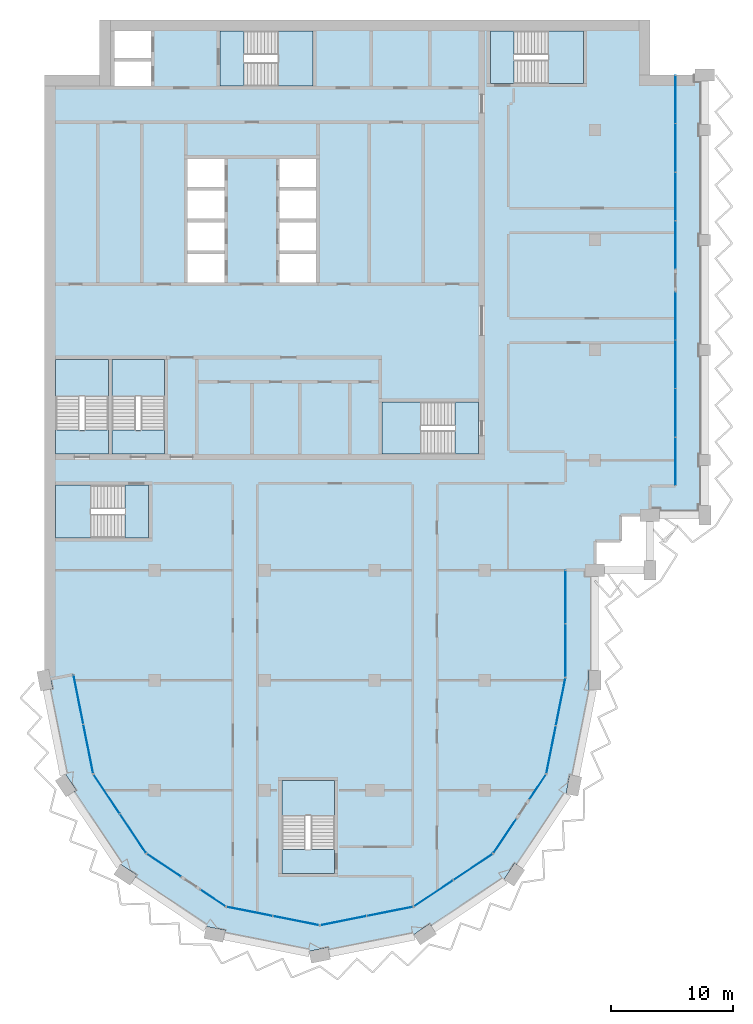
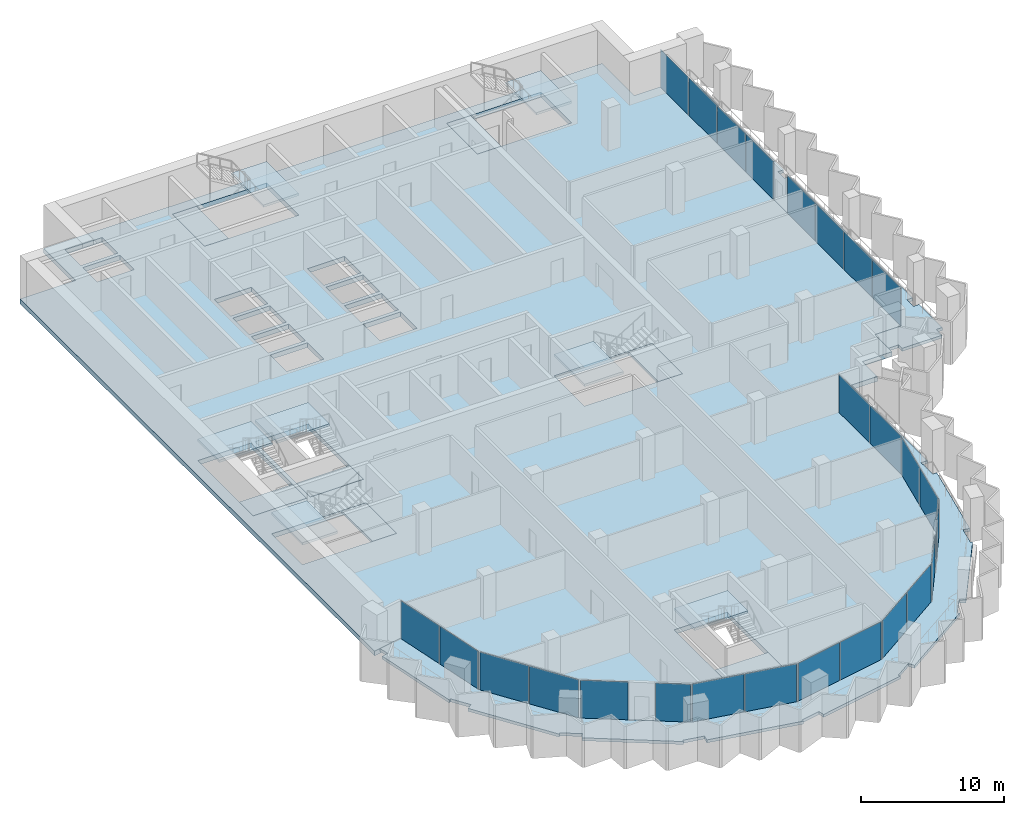
# One storey, part 6 of 16: 26 plates, 17 slabs, 20 elements without a shape of their own.
"""IFC4 building model written with IfcOpenShell, lengths in metres."""

from ifc_helpers import new_model, si_unit, direction, frame, origin, origin_2d, place, context, subcontext, project, spatial, polyline, rectangle, outline, extrude, material, layer, layer_set, type_object, element, aggregate, save


model = new_model("IFC4")

# Units and contexts
model_context = context("Model", 3, precision=1e-05, world=origin(), true_north=direction((0.0, 1.0)))
body_context = subcontext(model_context, "Body", "Model", "MODEL_VIEW")
ifc_project = project(units=[si_unit("LENGTHUNIT", "METRE"), si_unit("AREAUNIT", "SQUARE_METRE"), si_unit("VOLUMEUNIT", "CUBIC_METRE"), si_unit("PLANEANGLEUNIT", "RADIAN"), si_unit("MASSUNIT", "GRAM", prefix="KILO")], contexts=[model_context])

# Site, building, storey
site_placement = place(None, origin())
site = spatial("IfcSite", under=ifc_project, at=site_placement, CompositionType="ELEMENT")
building_placement = place(site_placement, origin())
building = spatial("IfcBuilding", under=site, at=building_placement, Name="Hunhe Ridgeline Campus", CompositionType="ELEMENT")
storey_placement = place(building_placement, frame((0.0, 0.0, 242.89990234375)))
storey = spatial("IfcBuildingStorey", under=building, at=storey_placement, Name="L62", CompositionType="ELEMENT", Elevation=242.89990234375)

# Curtain wall, plates
ifc_material_1 = material(Name="Aluminium 6063", Category="aluminium")
curtain_wall_type_1 = type_object("IfcCurtainWallType", Name="Curtain wall CW-5", PredefinedType="NOTDEFINED", material=ifc_material_1)
curtain_wall_1_placement = place(storey_placement, origin())
curtain_wall_1 = element("IfcCurtainWall", 1, at=curtain_wall_1_placement, inside=storey, type_object=curtain_wall_type_1, Name="Curtain wall 01", PredefinedType="NOTDEFINED")
ifc_material_2 = material(Name="Low-e laminated glass", Category="glass")
ifc_layer_1 = layer(ifc_material_2, 0.028076171875)
ifc_layer_set_1 = layer_set([ifc_layer_1], Name="Curtain wall glass panel 28 low-e laminated")
plate_type = type_object("IfcPlateType", Name="Curtain wall glass panel 28 low-e laminated", PredefinedType="CURTAIN_PANEL", material=ifc_layer_set_1)
plate_1_placement = place(storey_placement, frame((2.76318359375, 43.416015625, 0.0), z_axis=(0.0, 0.0, 1.0), x_axis=(0.195095347137, -0.980784280831, 0.0)))
plate_1 = element("IfcPlate", 2, at=plate_1_placement, type_object=plate_type, Name="CW-5 panel 1", PredefinedType="CURTAIN_PANEL", context=body_context, shape_type="SweptSolid", body=[
    extrude(rectangle(XDim=4.0458984375, YDim=0.028076171875, at=origin_2d()), origin(), (0.0, 0.0, 1.0), 3.22998046875),
])
plate_2_placement = place(storey_placement, frame((3.566162109375, 39.379150390625, 0.0), z_axis=(0.0, 0.0, 1.0), x_axis=(0.195095347137, -0.980784280831, 0.0)))
plate_2 = element("IfcPlate", 3, at=plate_2_placement, type_object=plate_type, Name="CW-5 panel 2", PredefinedType="CURTAIN_PANEL", context=body_context, shape_type="SweptSolid", body=[
    extrude(rectangle(XDim=4.0458984375, YDim=0.028076171875, at=origin_2d()), origin(), (0.0, 0.0, 1.0), 3.22998046875),
])
aggregate(curtain_wall_1, [plate_1, plate_2])

curtain_wall_2_placement = place(storey_placement, origin())
curtain_wall_2 = element("IfcCurtainWall", 4, at=curtain_wall_2_placement, inside=storey, type_object=curtain_wall_type_1, Name="Curtain wall 02", PredefinedType="NOTDEFINED")
plate_3_placement = place(storey_placement, frame((5.07080078125, 35.685546875, 0.0), z_axis=(0.0, 0.0, 1.0), x_axis=(0.555570274596, -0.831469584522, 0.0)))
plate_3 = element("IfcPlate", 5, at=plate_3_placement, type_object=plate_type, Name="CW-5 panel 1", PredefinedType="CURTAIN_PANEL", context=body_context, shape_type="SweptSolid", body=[
    extrude(rectangle(XDim=3.806884765625, YDim=0.028076171875, at=origin_2d()), origin(), (0.0, 0.0, 1.0), 3.22998046875),
])
plate_4_placement = place(storey_placement, frame((7.224609375, 32.4619140625, 0.0), z_axis=(0.0, 0.0, 1.0), x_axis=(0.555570274596, -0.831469584522, 0.0)))
plate_4 = element("IfcPlate", 6, at=plate_4_placement, type_object=plate_type, Name="CW-5 panel 2", PredefinedType="CURTAIN_PANEL", context=body_context, shape_type="SweptSolid", body=[
    extrude(rectangle(XDim=3.806884765625, YDim=0.028076171875, at=origin_2d()), origin(), (0.0, 0.0, 1.0), 3.22998046875),
])
aggregate(curtain_wall_2, [plate_3, plate_4])

# Curtain wall, plate
curtain_wall_3_placement = place(storey_placement, origin())
curtain_wall_3 = element("IfcCurtainWall", 7, at=curtain_wall_3_placement, inside=storey, type_object=curtain_wall_type_1, Name="Curtain wall 03", PredefinedType="NOTDEFINED")
plate_5_placement = place(storey_placement, frame((9.76025390625, 29.859375, 0.0), z_axis=(0.0, 0.0, 1.0), x_axis=(0.831469595944, -0.555570257501, 0.0)))
plate_5 = element("IfcPlate", 8, at=plate_5_placement, type_object=plate_type, Name="CW-5 panel 1", PredefinedType="CURTAIN_PANEL", context=body_context, shape_type="SweptSolid", body=[
    extrude(rectangle(XDim=3.322021484375, YDim=0.028076171875, at=origin_2d()), origin(), (0.0, 0.0, 1.0), 3.22998046875),
])
aggregate(curtain_wall_3, [plate_5])

curtain_wall_4_placement = place(storey_placement, origin())
curtain_wall_4 = element("IfcCurtainWall", 9, at=curtain_wall_4_placement, inside=storey, type_object=curtain_wall_type_1, Name="Curtain wall 04", PredefinedType="NOTDEFINED")
plate_6_placement = place(storey_placement, frame((13.761474609375, 27.18603515625, 0.0), z_axis=(0.0, 0.0, 1.0), x_axis=(0.831469510353, -0.555570385598, 0.0)))
plate_6 = element("IfcPlate", 10, at=plate_6_placement, type_object=plate_type, Name="CW-5 panel 1", PredefinedType="CURTAIN_PANEL", context=body_context, shape_type="SweptSolid", body=[
    extrude(rectangle(XDim=2.421875, YDim=0.028076171875, at=origin_2d()), origin(), (0.0, 0.0, 1.0), 3.22998046875),
])
aggregate(curtain_wall_4, [plate_6])

# Curtain wall, plates
curtain_wall_5_placement = place(storey_placement, origin())
curtain_wall_5 = element("IfcCurtainWall", 11, at=curtain_wall_5_placement, inside=storey, type_object=curtain_wall_type_1, Name="Curtain wall 05", PredefinedType="NOTDEFINED")
plate_7_placement = place(storey_placement, frame((16.761962890625, 26.08935546875, 0.0), z_axis=(0.0, 0.0, 1.0), x_axis=(0.980785275326, -0.195090347539, 0.0)))
plate_7 = element("IfcPlate", 12, at=plate_7_placement, type_object=plate_type, Name="CW-5 panel 1", PredefinedType="CURTAIN_PANEL", context=body_context, shape_type="SweptSolid", body=[
    extrude(rectangle(XDim=3.806884765625, YDim=0.028076171875, at=origin_2d()), origin(), (0.0, 0.0, 1.0), 3.22998046875),
])
plate_8_placement = place(storey_placement, frame((20.564453125, 25.3330078125, 0.0), z_axis=(0.0, 0.0, 1.0), x_axis=(0.980785275326, -0.195090347539, 0.0)))
plate_8 = element("IfcPlate", 13, at=plate_8_placement, type_object=plate_type, Name="CW-5 panel 2", PredefinedType="CURTAIN_PANEL", context=body_context, shape_type="SweptSolid", body=[
    extrude(rectangle(XDim=3.806884765625, YDim=0.028076171875, at=origin_2d()), origin(), (0.0, 0.0, 1.0), 3.22998046875),
])
aggregate(curtain_wall_5, [plate_7, plate_8])

curtain_wall_6_placement = place(storey_placement, origin())
curtain_wall_6 = element("IfcCurtainWall", 14, at=curtain_wall_6_placement, inside=storey, type_object=curtain_wall_type_1, Name="Curtain wall 06", PredefinedType="NOTDEFINED")
plate_9_placement = place(storey_placement, frame((24.435546875, 25.3330078125, 0.0), z_axis=(0.0, 0.0, 1.0), x_axis=(0.980785275326, 0.195090347539, 0.0)))
plate_9 = element("IfcPlate", 15, at=plate_9_placement, type_object=plate_type, Name="CW-5 panel 1", PredefinedType="CURTAIN_PANEL", context=body_context, shape_type="SweptSolid", body=[
    extrude(rectangle(XDim=3.806884765625, YDim=0.028076171875, at=origin_2d()), origin(), (0.0, 0.0, 1.0), 3.22998046875),
])
plate_10_placement = place(storey_placement, frame((28.238037109375, 26.08935546875, 0.0), z_axis=(0.0, 0.0, 1.0), x_axis=(0.980785275326, 0.195090347539, 0.0)))
plate_10 = element("IfcPlate", 16, at=plate_10_placement, type_object=plate_type, Name="CW-5 panel 2", PredefinedType="CURTAIN_PANEL", context=body_context, shape_type="SweptSolid", body=[
    extrude(rectangle(XDim=3.806884765625, YDim=0.028076171875, at=origin_2d()), origin(), (0.0, 0.0, 1.0), 3.22998046875),
])
aggregate(curtain_wall_6, [plate_9, plate_10])

curtain_wall_7_placement = place(storey_placement, origin())
curtain_wall_7 = element("IfcCurtainWall", 17, at=curtain_wall_7_placement, inside=storey, type_object=curtain_wall_type_1, Name="Curtain wall 07", PredefinedType="NOTDEFINED")
plate_11_placement = place(storey_placement, frame((31.814453125, 27.57080078125, 0.0), z_axis=(0.0, 0.0, 1.0), x_axis=(0.831469584522, 0.555570274596, 0.0)))
plate_11 = element("IfcPlate", 18, at=plate_11_placement, type_object=plate_type, Name="CW-5 panel 1", PredefinedType="CURTAIN_PANEL", context=body_context, shape_type="SweptSolid", body=[
    extrude(rectangle(XDim=3.806884765625, YDim=0.028076171875, at=origin_2d()), origin(), (0.0, 0.0, 1.0), 3.22998046875),
])
plate_12_placement = place(storey_placement, frame((35.0380859375, 29.724609375, 0.0), z_axis=(0.0, 0.0, 1.0), x_axis=(0.831469584522, 0.555570274596, 0.0)))
plate_12 = element("IfcPlate", 19, at=plate_12_placement, type_object=plate_type, Name="CW-5 panel 2", PredefinedType="CURTAIN_PANEL", context=body_context, shape_type="SweptSolid", body=[
    extrude(rectangle(XDim=3.806884765625, YDim=0.028076171875, at=origin_2d()), origin(), (0.0, 0.0, 1.0), 3.22998046875),
])
aggregate(curtain_wall_7, [plate_11, plate_12])

# Curtain wall, plate
curtain_wall_8_placement = place(storey_placement, origin())
curtain_wall_8 = element("IfcCurtainWall", 20, at=curtain_wall_8_placement, inside=storey, type_object=curtain_wall_type_1, Name="Curtain wall 08", PredefinedType="NOTDEFINED")
plate_13_placement = place(storey_placement, frame((37.640625, 32.26025390625, 0.0), z_axis=(0.0, 0.0, 1.0), x_axis=(0.555570257501, 0.831469595944, 0.0)))
plate_13 = element("IfcPlate", 21, at=plate_13_placement, type_object=plate_type, Name="CW-5 panel 1", PredefinedType="CURTAIN_PANEL", context=body_context, shape_type="SweptSolid", body=[
    extrude(rectangle(XDim=3.322021484375, YDim=0.028076171875, at=origin_2d()), origin(), (0.0, 0.0, 1.0), 3.22998046875),
])
aggregate(curtain_wall_8, [plate_13])

curtain_wall_9_placement = place(storey_placement, origin())
curtain_wall_9 = element("IfcCurtainWall", 22, at=curtain_wall_9_placement, inside=storey, type_object=curtain_wall_type_1, Name="Curtain wall 09", PredefinedType="NOTDEFINED")
plate_14_placement = place(storey_placement, frame((40.31396484375, 36.261474609375, 0.0), z_axis=(0.0, 0.0, 1.0), x_axis=(0.555570385598, 0.831469510353, 0.0)))
plate_14 = element("IfcPlate", 23, at=plate_14_placement, type_object=plate_type, Name="CW-5 panel 1", PredefinedType="CURTAIN_PANEL", context=body_context, shape_type="SweptSolid", body=[
    extrude(rectangle(XDim=2.421875, YDim=0.028076171875, at=origin_2d()), origin(), (0.0, 0.0, 1.0), 3.22998046875),
])
aggregate(curtain_wall_9, [plate_14])

# Curtain wall, plates
curtain_wall_10_placement = place(storey_placement, origin())
curtain_wall_10 = element("IfcCurtainWall", 24, at=curtain_wall_10_placement, inside=storey, type_object=curtain_wall_type_1, Name="Curtain wall 10", PredefinedType="NOTDEFINED")
plate_15_placement = place(storey_placement, frame((41.42236328125, 39.321044921875, 0.0), z_axis=(0.0, 0.0, 1.0), x_axis=(0.195090299215, 0.980785284939, 0.0)))
plate_15 = element("IfcPlate", 25, at=plate_15_placement, type_object=plate_type, Name="CW-5 panel 1", PredefinedType="CURTAIN_PANEL", context=body_context, shape_type="SweptSolid", body=[
    extrude(rectangle(XDim=3.927490234375, YDim=0.028076171875, at=origin_2d()), origin(), (0.0, 0.0, 1.0), 3.22998046875),
])
plate_16_placement = place(storey_placement, frame((42.2021484375, 43.24169921875, 0.0), z_axis=(0.0, 0.0, 1.0), x_axis=(0.195090299215, 0.980785284939, 0.0)))
plate_16 = element("IfcPlate", 26, at=plate_16_placement, type_object=plate_type, Name="CW-5 panel 2", PredefinedType="CURTAIN_PANEL", context=body_context, shape_type="SweptSolid", body=[
    extrude(rectangle(XDim=3.927490234375, YDim=0.028076171875, at=origin_2d()), origin(), (0.0, 0.0, 1.0), 3.22998046875),
])
aggregate(curtain_wall_10, [plate_15, plate_16])

curtain_wall_type_2 = type_object("IfcCurtainWallType", Name="Curtain wall CW-1", PredefinedType="NOTDEFINED", material=ifc_material_1)
curtain_wall_11_placement = place(storey_placement, origin())
curtain_wall_11 = element("IfcCurtainWall", 27, at=curtain_wall_11_placement, inside=storey, type_object=curtain_wall_type_2, Name="Curtain wall 11", PredefinedType="NOTDEFINED")
plate_17_placement = place(storey_placement, frame((42.59912109375, 47.4423828125, 0.0), z_axis=(0.0, 0.0, 1.0), x_axis=(1.9283253e-05, 0.999999999814, 0.0)))
plate_17 = element("IfcPlate", 28, at=plate_17_placement, type_object=plate_type, Name="CW-1 panel 1", PredefinedType="CURTAIN_PANEL", context=body_context, shape_type="SweptSolid", body=[
    extrude(rectangle(XDim=4.2919921875, YDim=0.028076171875, at=origin_2d()), origin(), (0.0, 0.0, 1.0), 3.239990234375),
])
plate_18_placement = place(storey_placement, frame((42.59912109375, 51.79443359375, 0.0), z_axis=(0.0, 0.0, 1.0), x_axis=(1.9283253e-05, 0.999999999814, 0.0)))
plate_18 = element("IfcPlate", 29, at=plate_18_placement, type_object=plate_type, Name="CW-1 panel 2", PredefinedType="CURTAIN_PANEL", context=body_context, shape_type="SweptSolid", body=[
    extrude(rectangle(XDim=4.2919921875, YDim=0.028076171875, at=origin_2d()), origin(), (0.0, 0.0, 1.0), 3.239990234375),
])
aggregate(curtain_wall_11, [plate_17, plate_18])

curtain_wall_12_placement = place(storey_placement, origin())
curtain_wall_12 = element("IfcCurtainWall", 30, at=curtain_wall_12_placement, inside=storey, type_object=curtain_wall_type_2, Name="Curtain wall 12", PredefinedType="NOTDEFINED")
plate_19_placement = place(storey_placement, frame((51.59912109375, 62.9033203125, 0.0), z_axis=(0.0, 0.0, 1.0), x_axis=(0.0, 1.0, 0.0)))
plate_19 = element("IfcPlate", 31, at=plate_19_placement, type_object=plate_type, Name="CW-1 panel 1", PredefinedType="CURTAIN_PANEL", context=body_context, shape_type="SweptSolid", body=[
    extrude(rectangle(XDim=3.884765625, YDim=0.028076171875, at=origin_2d()), origin(), (0.0, 0.0, 1.0), 3.239990234375),
])
plate_20_placement = place(storey_placement, frame((51.59912109375, 66.86328125, 0.0), z_axis=(0.0, 0.0, 1.0), x_axis=(0.0, 1.0, 0.0)))
plate_20 = element("IfcPlate", 32, at=plate_20_placement, type_object=plate_type, Name="CW-1 panel 2", PredefinedType="CURTAIN_PANEL", context=body_context, shape_type="SweptSolid", body=[
    extrude(rectangle(XDim=3.914794921875, YDim=0.028076171875, at=origin_2d()), origin(), (0.0, 0.0, 1.0), 3.239990234375),
])
plate_21_placement = place(storey_placement, frame((51.59912109375, 70.838134765625, 0.0), z_axis=(0.0, 0.0, 1.0), x_axis=(0.0, 1.0, 0.0)))
plate_21 = element("IfcPlate", 33, at=plate_21_placement, type_object=plate_type, Name="CW-1 panel 3", PredefinedType="CURTAIN_PANEL", context=body_context, shape_type="SweptSolid", body=[
    extrude(rectangle(XDim=3.914794921875, YDim=0.028076171875, at=origin_2d()), origin(), (0.0, 0.0, 1.0), 3.239990234375),
])
plate_22_placement = place(storey_placement, frame((51.59912109375, 74.798095703125, 0.0), z_axis=(0.0, 0.0, 1.0), x_axis=(0.0, 1.0, 0.0)))
plate_22 = element("IfcPlate", 34, at=plate_22_placement, type_object=plate_type, Name="CW-1 panel 4", PredefinedType="CURTAIN_PANEL", context=body_context, shape_type="SweptSolid", body=[
    extrude(rectangle(XDim=3.884765625, YDim=0.028076171875, at=origin_2d()), origin(), (0.0, 0.0, 1.0), 3.239990234375),
])
aggregate(curtain_wall_12, [plate_19, plate_20, plate_21, plate_22])

curtain_wall_13_placement = place(storey_placement, origin())
curtain_wall_13 = element("IfcCurtainWall", 35, at=curtain_wall_13_placement, inside=storey, type_object=curtain_wall_type_2, Name="Curtain wall 13", PredefinedType="NOTDEFINED")
plate_23_placement = place(storey_placement, frame((51.59912109375, 80.60302734375, 0.0), z_axis=(0.0, 0.0, 1.0), x_axis=(0.0, 1.0, 0.0)))
plate_23 = element("IfcPlate", 36, at=plate_23_placement, type_object=plate_type, Name="CW-1 panel 1", PredefinedType="CURTAIN_PANEL", context=body_context, shape_type="SweptSolid", body=[
    extrude(rectangle(XDim=3.884765625, YDim=0.028076171875, at=origin_2d()), origin(), (0.0, 0.0, 1.0), 3.239990234375),
])
plate_24_placement = place(storey_placement, frame((51.59912109375, 84.562744140625, 0.0), z_axis=(0.0, 0.0, 1.0), x_axis=(0.0, 1.0, 0.0)))
plate_24 = element("IfcPlate", 37, at=plate_24_placement, type_object=plate_type, Name="CW-1 panel 2", PredefinedType="CURTAIN_PANEL", context=body_context, shape_type="SweptSolid", body=[
    extrude(rectangle(XDim=3.914794921875, YDim=0.028076171875, at=origin_2d()), origin(), (0.0, 0.0, 1.0), 3.239990234375),
])
plate_25_placement = place(storey_placement, frame((51.59912109375, 88.53759765625, 0.0), z_axis=(0.0, 0.0, 1.0), x_axis=(0.0, 1.0, 0.0)))
plate_25 = element("IfcPlate", 38, at=plate_25_placement, type_object=plate_type, Name="CW-1 panel 3", PredefinedType="CURTAIN_PANEL", context=body_context, shape_type="SweptSolid", body=[
    extrude(rectangle(XDim=3.914794921875, YDim=0.028076171875, at=origin_2d()), origin(), (0.0, 0.0, 1.0), 3.239990234375),
])
plate_26_placement = place(storey_placement, frame((51.59912109375, 92.49755859375, 0.0), z_axis=(0.0, 0.0, 1.0), x_axis=(0.0, 1.0, 0.0)))
plate_26 = element("IfcPlate", 39, at=plate_26_placement, type_object=plate_type, Name="CW-1 panel 4", PredefinedType="CURTAIN_PANEL", context=body_context, shape_type="SweptSolid", body=[
    extrude(rectangle(XDim=3.884765625, YDim=0.028076171875, at=origin_2d()), origin(), (0.0, 0.0, 1.0), 3.239990234375),
])
aggregate(curtain_wall_13, [plate_23, plate_24, plate_25, plate_26])

# Slabs
ifc_material_3 = material(Name="Concrete C40", Category="concrete")
ifc_layer_2 = layer(ifc_material_3, 0.39990234375)
ifc_layer_set_2 = layer_set([ifc_layer_2], Name="Floor slab 400 Concrete C40")
slab_type_1 = type_object("IfcSlabType", Name="Floor slab 400 Concrete C40", PredefinedType="FLOOR", material=ifc_layer_set_2)
slab_1_placement = place(storey_placement, frame((0.0, 0.0, -0.39990234375)))
element("IfcSlab", 40, at=slab_1_placement, inside=storey, type_object=slab_type_1, Name="Floor slab L62 1", PredefinedType="FLOOR", context=body_context, shape_type="SweptSolid", body=[
    extrude(outline(polyline([(36.678955078125, 30.821044921875), (41.025634765625, 37.326416015625), (42.59912109375, 45.236572265625), (42.59912109375, 54.00048828125), (44.9990234375, 54.0009765625), (44.999267578125, 56.400634765625), (47.09912109375, 56.40087890625), (47.099609375, 58.5009765625), (49.4990234375, 58.5009765625), (49.49951171875, 60.90087890625), (51.59912109375, 60.90087890625), (51.59912109375, 94.5), (49.5, 94.5), (49.5, 99.0), (4.5, 99.0), (4.5, 94.5), (0.0, 94.5), (0.0, 45.0009765625), (2.354736328125, 45.46875), (3.974365234375, 37.326416015625), (8.321044921875, 30.821044921875), (14.826416015625, 26.474365234375), (22.5, 24.947998046875), (30.173583984375, 26.474365234375), (36.678955078125, 30.821044921875)]), holes=[polyline([(36.449951171875, 98.10009765625), (36.449951171875, 93.800048828125), (44.050048828125, 93.800048828125), (44.050048828125, 98.10009765625), (36.449951171875, 98.10009765625)]), polyline([(27.60009765625, 63.5), (35.5, 63.5), (35.5, 67.75), (27.60009765625, 67.75), (27.60009765625, 63.5)]), polyline([(19.39990234375, 36.800048828125), (19.39990234375, 29.199951171875), (23.699951171875, 29.199951171875), (23.699951171875, 36.800048828125), (19.39990234375, 36.800048828125)]), polyline([(22.199951171875, 87.64990234375), (19.199951171875, 87.64990234375), (19.199951171875, 85.35009765625), (22.199951171875, 85.35009765625), (22.199951171875, 87.64990234375)]), polyline([(22.199951171875, 77.550048828125), (22.199951171875, 79.85009765625), (19.199951171875, 79.85009765625), (19.199951171875, 77.550048828125), (22.199951171875, 77.550048828125)]), polyline([(19.199951171875, 85.050048828125), (19.199951171875, 82.75), (22.199951171875, 82.75), (22.199951171875, 85.050048828125), (19.199951171875, 85.050048828125)]), polyline([(19.199951171875, 80.14990234375), (22.199951171875, 80.14990234375), (22.199951171875, 82.449951171875), (19.199951171875, 82.449951171875), (19.199951171875, 80.14990234375)]), polyline([(14.35009765625, 98.10009765625), (14.35009765625, 93.60009765625), (21.949951171875, 93.60009765625), (21.949951171875, 98.10009765625), (14.35009765625, 98.10009765625)]), polyline([(14.699951171875, 87.64990234375), (11.699951171875, 87.64990234375), (11.699951171875, 85.35009765625), (14.699951171875, 85.35009765625), (14.699951171875, 87.64990234375)]), polyline([(14.699951171875, 77.550048828125), (14.699951171875, 79.85009765625), (11.699951171875, 79.85009765625), (11.699951171875, 77.550048828125), (14.699951171875, 77.550048828125)]), polyline([(11.699951171875, 85.050048828125), (11.699951171875, 82.75), (14.699951171875, 82.75), (14.699951171875, 85.050048828125), (11.699951171875, 85.050048828125)]), polyline([(11.699951171875, 80.14990234375), (14.699951171875, 80.14990234375), (14.699951171875, 82.449951171875), (11.699951171875, 82.449951171875), (11.699951171875, 80.14990234375)]), polyline([(9.800048828125, 63.5), (9.800048828125, 71.25), (5.5, 71.25), (5.5, 63.5), (9.800048828125, 63.5)]), polyline([(8.699951171875, 93.60009765625), (8.699951171875, 95.60009765625), (5.699951171875, 95.60009765625), (5.699951171875, 93.60009765625), (8.699951171875, 93.60009765625)]), polyline([(5.699951171875, 95.89990234375), (8.699951171875, 95.89990234375), (8.699951171875, 98.10009765625), (5.699951171875, 98.10009765625), (5.699951171875, 95.89990234375)]), polyline([(0.89990234375, 60.949951171875), (0.89990234375, 56.64990234375), (8.5, 56.64990234375), (8.5, 60.949951171875), (0.89990234375, 60.949951171875)]), polyline([(5.199951171875, 71.25), (0.89990234375, 71.25), (0.89990234375, 63.5), (5.199951171875, 63.5), (5.199951171875, 71.25)])]), origin(), (0.0, 0.0, 1.0), 0.39990234375),
])
ifc_layer_3 = layer(ifc_material_3, 0.25)
ifc_layer_set_3 = layer_set([ifc_layer_3], Name="Loggia slab 250 Concrete C40")
slab_type_2 = type_object("IfcSlabType", Name="Loggia slab 250 Concrete C40", PredefinedType="FLOOR", material=ifc_layer_set_3)
slab_2_placement = place(storey_placement, frame((0.0, 0.0, -0.25)))
element("IfcSlab", 41, at=slab_2_placement, inside=storey, type_object=slab_type_2, Name="Loggia slab 1", PredefinedType="FLOOR", context=body_context, shape_type="SweptSolid", body=[
    extrude(outline(polyline([(30.173828125, 26.473388671875), (22.5, 24.947021484375), (14.826171875, 26.473388671875), (8.3203125, 30.8203125), (3.973388671875, 37.326171875), (2.35400390625, 45.46826171875), (0.490478515625, 45.09765625), (0.646484375, 44.31298828125), (0.156005859375, 44.21533203125), (1.543701171875, 37.239013671875), (1.68408203125, 37.33251953125), (2.572998046875, 36.002197265625), (2.1572265625, 35.724365234375), (6.109130859375, 29.81005859375), (6.20263671875, 29.9501953125), (7.532958984375, 29.061279296875), (7.25537109375, 28.645751953125), (13.169677734375, 24.69384765625), (13.20263671875, 24.859130859375), (14.771728515625, 24.547119140625), (14.67431640625, 24.056640625), (21.650634765625, 22.6689453125), (21.617919921875, 22.834228515625), (23.18701171875, 23.146484375), (23.28466796875, 22.656005859375), (30.260986328125, 24.043701171875), (30.16748046875, 24.18408203125), (31.497802734375, 25.072998046875), (31.775634765625, 24.6572265625), (37.68994140625, 28.609130859375), (37.5498046875, 28.70263671875), (38.438720703125, 30.032958984375), (38.854248046875, 29.75537109375), (42.80615234375, 35.669677734375), (42.640869140625, 35.70263671875), (42.952880859375, 37.271728515625), (43.443359375, 37.17431640625), (44.8408203125, 44.199951171875), (44.5, 44.199951171875), (44.5, 45.800048828125), (45.0, 45.800048828125), (45.0, 53.5), (44.199951171875, 53.5), (44.199951171875, 54.0), (42.60009765625, 54.0), (42.60009765625, 45.236328125), (41.026611328125, 37.326171875), (36.6796875, 30.8203125), (30.173828125, 26.473388671875)])), origin(), (0.0, 0.0, 1.0), 0.25),
])
slab_3_placement = place(storey_placement, frame((0.0, 0.0, -0.25)))
element("IfcSlab", 42, at=slab_3_placement, inside=storey, type_object=slab_type_2, Name="Loggia slab 2", PredefinedType="FLOOR", context=body_context, shape_type="SweptSolid", body=[
    extrude(outline(polyline([(49.5, 59.0), (50.300048828125, 59.0), (50.300048828125, 58.5), (53.5, 58.5), (53.5, 59.300048828125), (54.0, 59.300048828125), (54.0, 62.550048828125), (53.550048828125, 62.550048828125), (53.550048828125, 63.449951171875), (54.0, 63.449951171875), (54.0, 71.550048828125), (53.550048828125, 71.550048828125), (53.550048828125, 72.449951171875), (54.0, 72.449951171875), (54.0, 80.550048828125), (53.550048828125, 80.550048828125), (53.550048828125, 81.449951171875), (54.0, 81.449951171875), (54.0, 89.550048828125), (53.550048828125, 89.550048828125), (53.550048828125, 90.449951171875), (54.0, 90.449951171875), (54.0, 94.0), (53.199951171875, 94.0), (53.199951171875, 94.5), (51.60009765625, 94.5), (51.60009765625, 60.89990234375), (49.5, 60.89990234375), (49.5, 59.0)])), origin(), (0.0, 0.0, 1.0), 0.25),
])

# Stair, slab
stair_type = type_object("IfcStairType", Name="Reinforced concrete dog-leg stair 1950 Concrete C40", PredefinedType="HALF_TURN_STAIR", material=ifc_material_3)
stair_1_placement = place(storey_placement, origin())
stair_1 = element("IfcStair", 43, at=stair_1_placement, inside=storey, type_object=stair_type, Name="L62 S1", PredefinedType="HALF_TURN_STAIR")
ifc_layer_4 = layer(ifc_material_3, 0.199951171875)
ifc_layer_set_4 = layer_set([ifc_layer_4], Name="Reinforced concrete stair landing 200 Concrete C40")
slab_type_3 = type_object("IfcSlabType", Name="Reinforced concrete stair landing 200 Concrete C40", PredefinedType="LANDING", material=ifc_layer_set_4)
slab_4_placement = place(storey_placement, frame((0.0, 0.0, 1.650146484375)))
slab_4 = element("IfcSlab", 44, at=slab_4_placement, type_object=slab_type_3, Name="ST1 landing 1", PredefinedType="LANDING", context=body_context, shape_type="SweptSolid", body=[
    extrude(outline(polyline([(19.10009765625, 93.60009765625), (21.949951171875, 93.60009765625), (21.949951171875, 98.10009765625), (19.10009765625, 98.10009765625), (19.10009765625, 93.60009765625)])), origin(), (0.0, 0.0, 1.0), 0.199951171875),
])
aggregate(stair_1, [slab_4])

# Slab
slab_5_placement = place(storey_placement, frame((0.0, 0.0, -0.199951171875)))
element("IfcSlab", 45, at=slab_5_placement, inside=storey, type_object=slab_type_3, Name="L62 stair S1 floor landing", PredefinedType="LANDING", context=body_context, shape_type="SweptSolid", body=[
    extrude(outline(polyline([(14.35009765625, 93.60009765625), (16.300048828125, 93.60009765625), (16.300048828125, 98.10009765625), (14.35009765625, 98.10009765625), (14.35009765625, 93.60009765625)])), origin(), (0.0, 0.0, 1.0), 0.199951171875),
])

# Stair, slab
stair_2_placement = place(storey_placement, origin())
stair_2 = element("IfcStair", 46, at=stair_2_placement, inside=storey, type_object=stair_type, Name="L62 S2", PredefinedType="HALF_TURN_STAIR")
slab_6_placement = place(storey_placement, frame((0.0, 0.0, 1.650146484375)))
slab_6 = element("IfcSlab", 47, at=slab_6_placement, type_object=slab_type_3, Name="ST2 landing 1", PredefinedType="LANDING", context=body_context, shape_type="SweptSolid", body=[
    extrude(outline(polyline([(30.75, 67.75), (27.60009765625, 67.75), (27.60009765625, 63.5), (30.75, 63.5), (30.75, 67.75)])), origin(), (0.0, 0.0, 1.0), 0.199951171875),
])
aggregate(stair_2, [slab_6])

# Slab
slab_7_placement = place(storey_placement, frame((0.0, 0.0, -0.199951171875)))
element("IfcSlab", 48, at=slab_7_placement, inside=storey, type_object=slab_type_3, Name="L62 stair S2 floor landing", PredefinedType="LANDING", context=body_context, shape_type="SweptSolid", body=[
    extrude(outline(polyline([(35.5, 67.75), (33.550048828125, 67.75), (33.550048828125, 63.5), (35.5, 63.5), (35.5, 67.75)])), origin(), (0.0, 0.0, 1.0), 0.199951171875),
])

# Stair, slab
stair_3_placement = place(storey_placement, origin())
stair_3 = element("IfcStair", 49, at=stair_3_placement, inside=storey, type_object=stair_type, Name="L62 S3", PredefinedType="HALF_TURN_STAIR")
slab_8_placement = place(storey_placement, frame((0.0, 0.0, 1.650146484375)))
slab_8 = element("IfcSlab", 50, at=slab_8_placement, type_object=slab_type_3, Name="ST3 landing 1", PredefinedType="LANDING", context=body_context, shape_type="SweptSolid", body=[
    extrude(outline(polyline([(5.199951171875, 68.25), (5.199951171875, 71.25), (0.89990234375, 71.25), (0.89990234375, 68.25), (5.199951171875, 68.25)])), origin(), (0.0, 0.0, 1.0), 0.199951171875),
])
aggregate(stair_3, [slab_8])

# Slab
slab_9_placement = place(storey_placement, frame((0.0, 0.0, -0.199951171875)))
element("IfcSlab", 51, at=slab_9_placement, inside=storey, type_object=slab_type_3, Name="L62 stair S3 floor landing", PredefinedType="LANDING", context=body_context, shape_type="SweptSolid", body=[
    extrude(outline(polyline([(5.199951171875, 63.5), (5.199951171875, 65.449951171875), (0.89990234375, 65.449951171875), (0.89990234375, 63.5), (5.199951171875, 63.5)])), origin(), (0.0, 0.0, 1.0), 0.199951171875),
])

# Stair, slab
stair_4_placement = place(storey_placement, origin())
stair_4 = element("IfcStair", 52, at=stair_4_placement, inside=storey, type_object=stair_type, Name="L62 S4", PredefinedType="HALF_TURN_STAIR")
slab_10_placement = place(storey_placement, frame((0.0, 0.0, 1.650146484375)))
slab_10 = element("IfcSlab", 53, at=slab_10_placement, type_object=slab_type_3, Name="ST4 landing 1", PredefinedType="LANDING", context=body_context, shape_type="SweptSolid", body=[
    extrude(outline(polyline([(9.800048828125, 68.25), (9.800048828125, 71.25), (5.5, 71.25), (5.5, 68.25), (9.800048828125, 68.25)])), origin(), (0.0, 0.0, 1.0), 0.199951171875),
])
aggregate(stair_4, [slab_10])

# Slab
slab_11_placement = place(storey_placement, frame((0.0, 0.0, -0.199951171875)))
element("IfcSlab", 54, at=slab_11_placement, inside=storey, type_object=slab_type_3, Name="L62 stair S4 floor landing", PredefinedType="LANDING", context=body_context, shape_type="SweptSolid", body=[
    extrude(outline(polyline([(9.800048828125, 63.5), (9.800048828125, 65.449951171875), (5.5, 65.449951171875), (5.5, 63.5), (9.800048828125, 63.5)])), origin(), (0.0, 0.0, 1.0), 0.199951171875),
])

# Stair, slab
stair_5_placement = place(storey_placement, origin())
stair_5 = element("IfcStair", 55, at=stair_5_placement, inside=storey, type_object=stair_type, Name="L62 E1", PredefinedType="HALF_TURN_STAIR")
slab_12_placement = place(storey_placement, frame((0.0, 0.0, 1.650146484375)))
slab_12 = element("IfcSlab", 56, at=slab_12_placement, type_object=slab_type_3, Name="ST5 landing 1", PredefinedType="LANDING", context=body_context, shape_type="SweptSolid", body=[
    extrude(outline(polyline([(41.199951171875, 93.800048828125), (44.050048828125, 93.800048828125), (44.050048828125, 98.10009765625), (41.199951171875, 98.10009765625), (41.199951171875, 93.800048828125)])), origin(), (0.0, 0.0, 1.0), 0.199951171875),
])
aggregate(stair_5, [slab_12])

# Slab
slab_13_placement = place(storey_placement, frame((0.0, 0.0, -0.199951171875)))
element("IfcSlab", 57, at=slab_13_placement, inside=storey, type_object=slab_type_3, Name="L62 stair E1 floor landing", PredefinedType="LANDING", context=body_context, shape_type="SweptSolid", body=[
    extrude(outline(polyline([(36.449951171875, 93.800048828125), (38.39990234375, 93.800048828125), (38.39990234375, 98.10009765625), (36.449951171875, 98.10009765625), (36.449951171875, 93.800048828125)])), origin(), (0.0, 0.0, 1.0), 0.199951171875),
])

# Stair, slab
stair_6_placement = place(storey_placement, origin())
stair_6 = element("IfcStair", 58, at=stair_6_placement, inside=storey, type_object=stair_type, Name="L62 W3", PredefinedType="HALF_TURN_STAIR")
slab_14_placement = place(storey_placement, frame((0.0, 0.0, 1.650146484375)))
slab_14 = element("IfcSlab", 59, at=slab_14_placement, type_object=slab_type_3, Name="ST9 landing 1", PredefinedType="LANDING", context=body_context, shape_type="SweptSolid", body=[
    extrude(outline(polyline([(23.699951171875, 33.949951171875), (23.699951171875, 36.800048828125), (19.39990234375, 36.800048828125), (19.39990234375, 33.949951171875), (23.699951171875, 33.949951171875)])), origin(), (0.0, 0.0, 1.0), 0.199951171875),
])
aggregate(stair_6, [slab_14])

# Slab
slab_15_placement = place(storey_placement, frame((0.0, 0.0, -0.199951171875)))
element("IfcSlab", 60, at=slab_15_placement, inside=storey, type_object=slab_type_3, Name="L62 stair W3 floor landing", PredefinedType="LANDING", context=body_context, shape_type="SweptSolid", body=[
    extrude(outline(polyline([(23.699951171875, 29.199951171875), (23.699951171875, 31.14990234375), (19.39990234375, 31.14990234375), (19.39990234375, 29.199951171875), (23.699951171875, 29.199951171875)])), origin(), (0.0, 0.0, 1.0), 0.199951171875),
])

# Stair, slab
stair_7_placement = place(storey_placement, origin())
stair_7 = element("IfcStair", 61, at=stair_7_placement, inside=storey, type_object=stair_type, Name="L62 W2", PredefinedType="HALF_TURN_STAIR")
slab_16_placement = place(storey_placement, frame((0.0, 0.0, 1.650146484375)))
slab_16 = element("IfcSlab", 62, at=slab_16_placement, type_object=slab_type_3, Name="ST12 landing 1", PredefinedType="LANDING", context=body_context, shape_type="SweptSolid", body=[
    extrude(outline(polyline([(3.75, 60.949951171875), (0.89990234375, 60.949951171875), (0.89990234375, 56.64990234375), (3.75, 56.64990234375), (3.75, 60.949951171875)])), origin(), (0.0, 0.0, 1.0), 0.199951171875),
])
aggregate(stair_7, [slab_16])

# Slab
slab_17_placement = place(storey_placement, frame((0.0, 0.0, -0.199951171875)))
element("IfcSlab", 63, at=slab_17_placement, inside=storey, type_object=slab_type_3, Name="L62 stair W2 floor landing", PredefinedType="LANDING", context=body_context, shape_type="SweptSolid", body=[
    extrude(outline(polyline([(8.5, 60.949951171875), (6.550048828125, 60.949951171875), (6.550048828125, 56.64990234375), (8.5, 56.64990234375), (8.5, 60.949951171875)])), origin(), (0.0, 0.0, 1.0), 0.199951171875),
])

save(model, "model.ifc")
